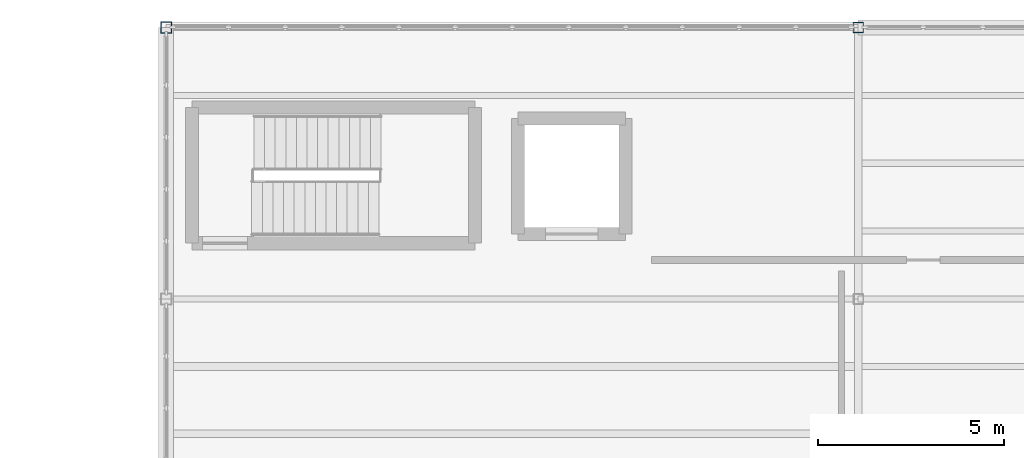
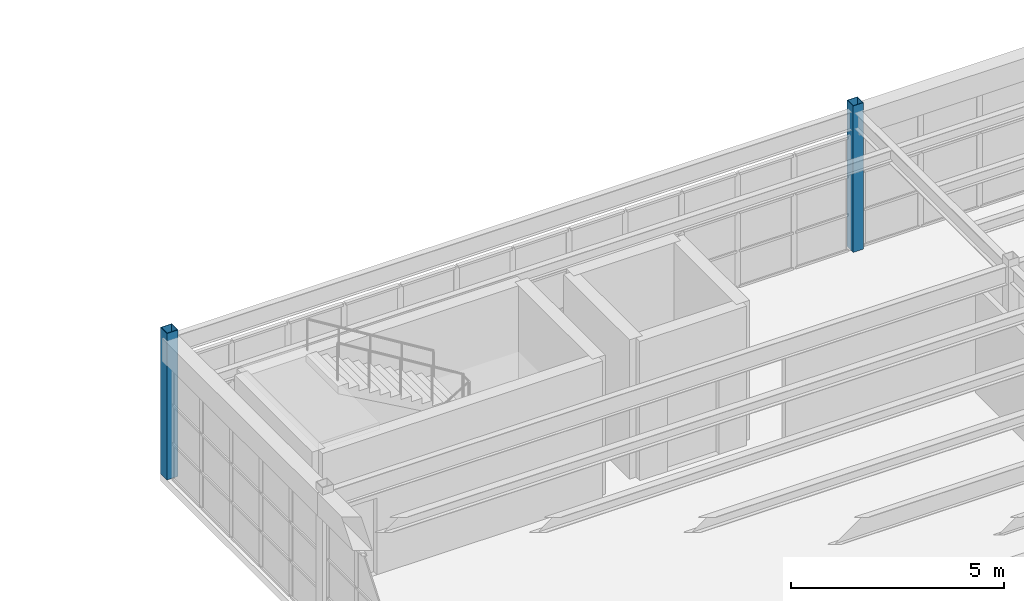
# One storey, part 3 of 52: 2 columns.
"""IFC4 building model written with IfcOpenShell, lengths in metres."""

from ifc_helpers import new_model, si_unit, direction, frame, origin, origin_2d, place, context, subcontext, project, spatial, hollow_rectangle, extrude, material, material_profile, profile_set, type_object, element, save


model = new_model("IFC4")

# Units and contexts
model_context = context("Model", 3, precision=1e-05, world=origin(), true_north=direction((0.0, 1.0)))
body_context = subcontext(model_context, "Body", "Model", "MODEL_VIEW")
ifc_project = project(units=[si_unit("LENGTHUNIT", "METRE"), si_unit("AREAUNIT", "SQUARE_METRE"), si_unit("VOLUMEUNIT", "CUBIC_METRE"), si_unit("PLANEANGLEUNIT", "RADIAN"), si_unit("MASSUNIT", "GRAM", prefix="KILO")], contexts=[model_context])

# Site, building, storey
site_placement = place(None, origin())
site = spatial("IfcSite", under=ifc_project, at=site_placement, CompositionType="ELEMENT")
building_placement = place(site_placement, origin())
building = spatial("IfcBuilding", under=site, at=building_placement, Name="Candilejo Ridge Gondola Terminal", CompositionType="ELEMENT")
storey_placement = place(building_placement, frame((0.0, 0.0, 18.60009765625)))
storey = spatial("IfcBuildingStorey", under=building, at=storey_placement, Name="L04", CompositionType="ELEMENT", Elevation=18.60009765625)

# Columns
ifc_material_1 = material(Name="Steel ASTM A500 Grade C", Category="steel")
ifc_material_profile_1 = material_profile(ifc_material_1, hollow_rectangle(XDim=0.280029296875, YDim=0.280029296875, WallThickness=0.010009765625, at=origin_2d()))
ifc_profile_set_1 = profile_set([ifc_material_profile_1], Name="Steel ASTM A500 Grade C")
column_type_1 = type_object("IfcColumnType", Name="STR-COL-HSS280", PredefinedType="COLUMN", material=ifc_profile_set_1)
column_1_placement = place(storey_placement, frame((168.60009765625, 120.85009765625, 0.0), z_axis=(0.0, 0.0, 1.0), x_axis=(1.0, 0.0, 0.0)))
element("IfcColumn", 1, at=column_1_placement, inside=storey, type_object=column_type_1, Name="Column V5 L04 X25-Y20", PredefinedType="COLUMN", context=body_context, shape_type="SweptSolid", body=[
    extrude(hollow_rectangle(XDim=0.280029296875, YDim=0.280029296875, WallThickness=0.010009765625, at=origin_2d()), origin(), (0.0, 0.0, 1.0), 4.199951171875),
])
ifc_material_2 = material(Name="Steel ASTM A500 Grade C", Category="steel")
ifc_material_profile_2 = material_profile(ifc_material_2, hollow_rectangle(XDim=0.300048828125, YDim=0.300048828125, WallThickness=0.0126953125, at=origin_2d()))
ifc_profile_set_2 = profile_set([ifc_material_profile_2], Name="Steel ASTM A500 Grade C")
column_type_2 = type_object("IfcColumnType", Name="STR-COL-HSS300", PredefinedType="COLUMN", material=ifc_profile_set_2)
column_2_placement = place(storey_placement, frame((150.0, 120.85009765625, 0.0), z_axis=(0.0, 0.0, 1.0), x_axis=(1.0, 0.0, 0.0)))
element("IfcColumn", 2, at=column_2_placement, inside=storey, type_object=column_type_2, Name="Column V5 L04 X23-Y20", PredefinedType="COLUMN", context=body_context, shape_type="SweptSolid", body=[
    extrude(hollow_rectangle(XDim=0.300048828125, YDim=0.300048828125, WallThickness=0.0126953125, at=origin_2d()), origin(), (0.0, 0.0, 1.0), 4.199951171875),
])

save(model, "model.ifc")
